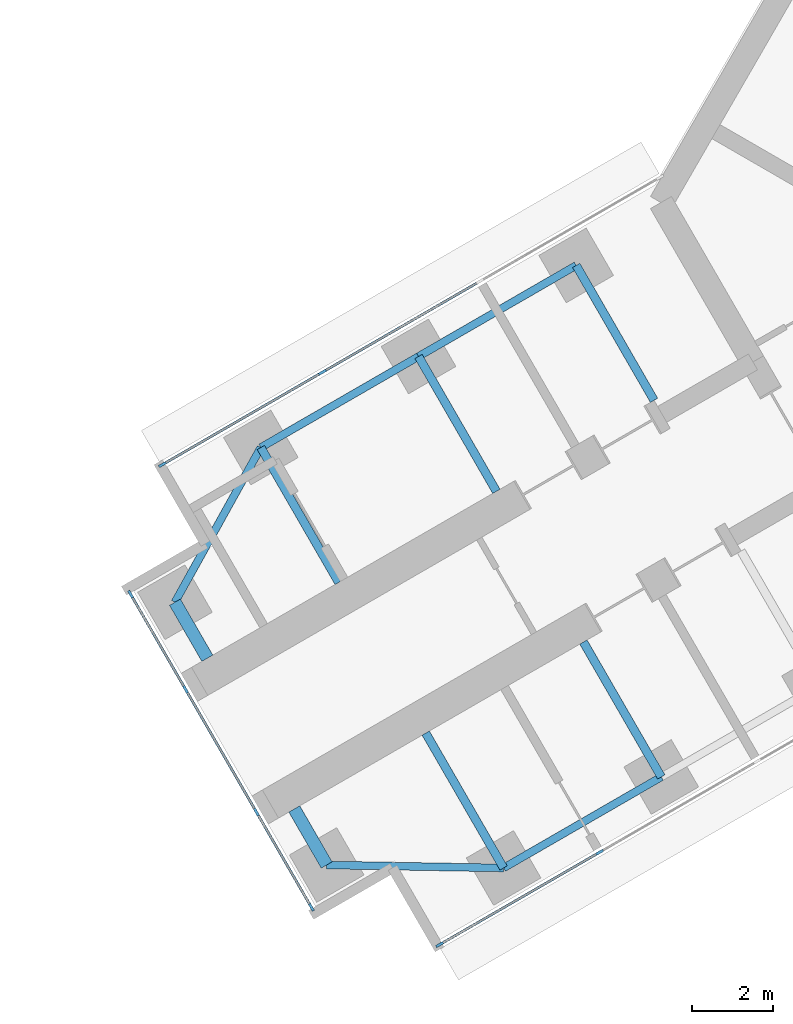
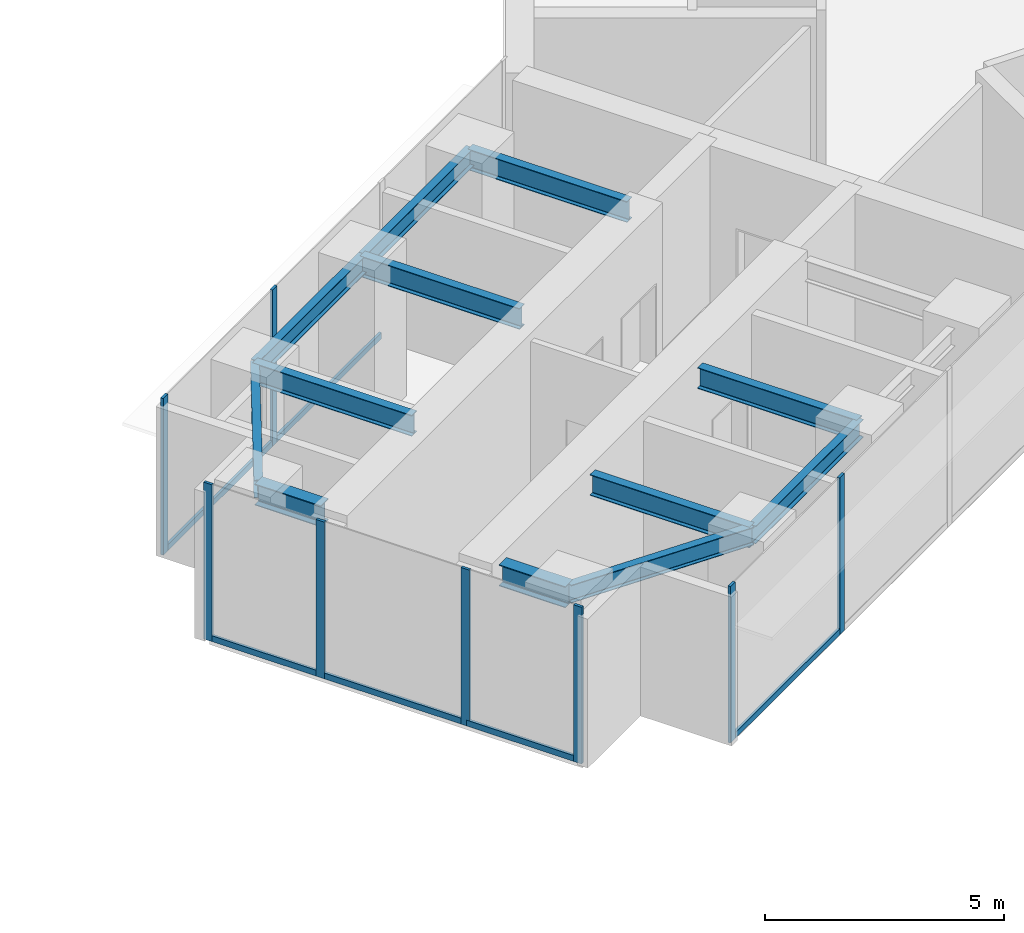
# One storey, part 3 of 21: 14 members, 12 beams, 3 elements without a shape of their own.
"""IFC4 building model written with IfcOpenShell, lengths in metres."""

from ifc_helpers import new_model, si_unit, direction, frame, origin, origin_2d, place, context, subcontext, project, spatial, rectangle, i_section, extrude, material, material_profile, profile_set, type_object, element, aggregate, save


model = new_model("IFC4")

# Units and contexts
model_context = context("Model", 3, precision=1e-05, world=origin(), true_north=direction((0.0, 1.0)))
body_context = subcontext(model_context, "Body", "Model", "MODEL_VIEW")
ifc_project = project(units=[si_unit("LENGTHUNIT", "METRE"), si_unit("AREAUNIT", "SQUARE_METRE"), si_unit("VOLUMEUNIT", "CUBIC_METRE"), si_unit("PLANEANGLEUNIT", "RADIAN"), si_unit("MASSUNIT", "GRAM", prefix="KILO")], contexts=[model_context])

# Site, building, storey
site_placement = place(None, origin())
site = spatial("IfcSite", under=ifc_project, at=site_placement, CompositionType="ELEMENT")
building_placement = place(site_placement, origin())
building = spatial("IfcBuilding", under=site, at=building_placement, Name="Upepo Twin Towers", CompositionType="ELEMENT")
storey_placement = place(building_placement, frame((0.0, 0.0, 113.5)))
storey = spatial("IfcBuildingStorey", under=building, at=storey_placement, Name="L27", CompositionType="ELEMENT", Elevation=113.5)

# Beams
ifc_material_1 = material(Name="Steel S355", Category="steel")
ifc_material_profile_1 = material_profile(ifc_material_1, i_section(OverallWidth=0.1904296875, OverallDepth=0.45703125, WebThickness=0.009033203125, FlangeThickness=0.014404296875, FilletRadius=0.01025390625, at=origin_2d()), Name="UB 457x191x74")
ifc_profile_set_1 = profile_set([ifc_material_profile_1], Name="Steel S355")
beam_type_1 = type_object("IfcBeamType", Name="Beam UB 457x191x74", PredefinedType="BEAM", material=ifc_profile_set_1)
beam_1_placement = place(storey_placement, frame((45.91162109375, -32.196044921875, 3.571533203125), z_axis=(-0.866031096941, -0.499990139034, 0.0), x_axis=(0.499990139034, -0.866031096941, 0.0)))
element("IfcBeam", 1, at=beam_1_placement, inside=storey, type_object=beam_type_1, Name="T2 edge beam BL 18.0-22.5", PredefinedType="BEAM", context=body_context, shape_type="SweptSolid", body=[
    extrude(i_section(OverallWidth=0.1904296875, OverallDepth=0.45703125, WebThickness=0.009033203125, FlangeThickness=0.014404296875, FilletRadius=0.01025390625, at=origin_2d()), origin(), (0.0, 0.0, 1.0), 4.5),
])
beam_2_placement = place(storey_placement, frame((42.014404296875, -34.446044921875, 3.571533203125), z_axis=(-0.999858804832, 0.016803880528, 0.0), x_axis=(-0.016803880528, -0.999858804832, 0.0)))
element("IfcBeam", 2, at=beam_2_placement, inside=storey, type_object=beam_type_1, Name="T2 nose edge beam BL", PredefinedType="BEAM", context=body_context, shape_type="SweptSolid", body=[
    extrude(i_section(OverallWidth=0.1904296875, OverallDepth=0.45703125, WebThickness=0.009033203125, FlangeThickness=0.014404296875, FilletRadius=0.01025390625, at=origin_2d()), origin(), (0.0, 0.0, 1.0), 4.373291015625),
])
beam_3_placement = place(storey_placement, frame((43.80859375, -19.553955078125, 3.571533203125), z_axis=(-0.866017533419, -0.500013631625, 0.0), x_axis=(0.500013631625, -0.866017533419, 0.0)))
element("IfcBeam", 3, at=beam_3_placement, inside=storey, type_object=beam_type_1, Name="T2 edge beam BR 13.5-18.0", PredefinedType="BEAM", context=body_context, shape_type="SweptSolid", body=[
    extrude(i_section(OverallWidth=0.1904296875, OverallDepth=0.45703125, WebThickness=0.009033203125, FlangeThickness=0.014404296875, FilletRadius=0.01025390625, at=origin_2d()), origin(), (0.0, 0.0, 1.0), 4.499755859375),
])
beam_4_placement = place(storey_placement, frame((39.91162109375, -21.803955078125, 3.571533203125), z_axis=(-0.866031096941, -0.499990139034, 0.0), x_axis=(0.499990139034, -0.866031096941, 0.0)))
element("IfcBeam", 4, at=beam_4_placement, inside=storey, type_object=beam_type_1, Name="T2 edge beam BR 18.0-22.5", PredefinedType="BEAM", context=body_context, shape_type="SweptSolid", body=[
    extrude(i_section(OverallWidth=0.1904296875, OverallDepth=0.45703125, WebThickness=0.009033203125, FlangeThickness=0.014404296875, FilletRadius=0.01025390625, at=origin_2d()), origin(), (0.0, 0.0, 1.0), 4.5),
])
beam_5_placement = place(storey_placement, frame((36.014404296875, -24.053955078125, 3.571533203125), z_axis=(-0.485363242752, -0.874312600038, 0.0), x_axis=(0.874312600038, -0.485363242752, 0.0)))
element("IfcBeam", 5, at=beam_5_placement, inside=storey, type_object=beam_type_1, Name="T2 nose edge beam BR", PredefinedType="BEAM", context=body_context, shape_type="SweptSolid", body=[
    extrude(i_section(OverallWidth=0.1904296875, OverallDepth=0.45703125, WebThickness=0.009033203125, FlangeThickness=0.014404296875, FilletRadius=0.01025390625, at=origin_2d()), origin(), (0.0, 0.0, 1.0), 4.373046875),
])
ifc_material_2 = material(Name="Steel S355", Category="steel")
ifc_material_profile_2 = material_profile(ifc_material_2, i_section(OverallWidth=0.209228515625, OverallDepth=0.533203125, WebThickness=0.010009765625, FlangeThickness=0.015625, FilletRadius=0.0126953125, at=origin_2d()), Name="UB 533x210x92")
ifc_profile_set_2 = profile_set([ifc_material_profile_2], Name="Steel S355")
beam_type_2 = type_object("IfcBeamType", Name="Beam UB 533x210x92", PredefinedType="BEAM", material=ifc_profile_set_2)
for number, where, z_axis, x_axis, name in (
    (6, (45.91162109375, -32.196044921875, 3.533447265625), (-0.500033517596, 0.866006051527, 0.0), (-0.866006051527, -0.500033517596, 0.0), "T2 girder BL at 18.0"),
    (7, (42.014404296875, -34.446044921875, 3.533447265625), (-0.500033517596, 0.866006051527, 0.0), (-0.866006051527, -0.500033517596, 0.0), "T2 girder BL at 22.5"),
    (8, (43.80859375, -19.553955078125, 3.533447265625), (0.500033517596, -0.866006051527, 0.0), (0.866006051527, 0.500033517596, 0.0), "T2 girder BR at 13.5"),
):
    element("IfcBeam", number, at=place(storey_placement, frame(where, z_axis=z_axis, x_axis=x_axis)), inside=storey, type_object=beam_type_2, Name=name, PredefinedType="BEAM", context=body_context, shape_type="SweptSolid", body=[
        extrude(i_section(OverallWidth=0.209228515625, OverallDepth=0.533203125, WebThickness=0.010009765625, FlangeThickness=0.015625, FilletRadius=0.0126953125, at=origin_2d()), origin(), (0.0, 0.0, 1.0), 3.849853515625),
    ])
beam_6_placement = place(storey_placement, frame((39.91162109375, -21.803955078125, 3.533447265625), z_axis=(0.499985955615, -0.866033512162, 0.0), x_axis=(0.866033512162, 0.499985955615, 0.0)))
element("IfcBeam", 9, at=beam_6_placement, inside=storey, type_object=beam_type_2, Name="T2 girder BR at 18.0", PredefinedType="BEAM", context=body_context, shape_type="SweptSolid", body=[
    extrude(i_section(OverallWidth=0.209228515625, OverallDepth=0.533203125, WebThickness=0.010009765625, FlangeThickness=0.015625, FilletRadius=0.0126953125, at=origin_2d()), origin(), (0.0, 0.0, 1.0), 3.849609375),
])
beam_7_placement = place(storey_placement, frame((36.014404296875, -24.053955078125, 3.533447265625), z_axis=(0.500033517596, -0.866006051527, 0.0), x_axis=(0.866006051527, 0.500033517596, 0.0)))
element("IfcBeam", 10, at=beam_7_placement, inside=storey, type_object=beam_type_2, Name="T2 girder BR at 22.5", PredefinedType="BEAM", context=body_context, shape_type="SweptSolid", body=[
    extrude(i_section(OverallWidth=0.209228515625, OverallDepth=0.533203125, WebThickness=0.010009765625, FlangeThickness=0.015625, FilletRadius=0.0126953125, at=origin_2d()), origin(), (0.0, 0.0, 1.0), 3.849853515625),
])
ifc_material_3 = material(Name="Steel S355", Category="steel")
ifc_material_profile_3 = material_profile(ifc_material_3, i_section(OverallWidth=0.31201171875, OverallDepth=0.54345703125, WebThickness=0.0126953125, FlangeThickness=0.020263671875, FilletRadius=0.0126953125, at=origin_2d()), Name="UB 533x312x150")
ifc_profile_set_3 = profile_set([ifc_material_profile_3], Name="Steel S355")
beam_type_3 = type_object("IfcBeamType", Name="Beam UB 533x312x150", PredefinedType="BEAM", material=ifc_profile_set_3)
for number, where, z_axis, x_axis, name in (
    (11, (37.641845703125, -34.37255859375, 3.5283203125), (-0.500061482766, 0.865989903783, 0.0), (-0.865989903783, -0.500061482766, 0.0), "T2 nose beam BL"),
    (12, (33.891845703125, -27.87744140625, 3.5283203125), (0.500061482766, -0.865989903783, 0.0), (0.865989903783, 0.500061482766, 0.0), "T2 nose beam BR"),
):
    element("IfcBeam", number, at=place(storey_placement, frame(where, z_axis=z_axis, x_axis=x_axis)), inside=storey, type_object=beam_type_3, Name=name, PredefinedType="BEAM", context=body_context, shape_type="SweptSolid", body=[
        extrude(i_section(OverallWidth=0.31201171875, OverallDepth=0.54345703125, WebThickness=0.0126953125, FlangeThickness=0.020263671875, FilletRadius=0.0126953125, at=origin_2d()), origin(), (0.0, 0.0, 1.0), 1.599853515625),
    ])

# Curtain wall, members
ifc_material_4 = material(Name="Aluminium and fritted glass", Category="aluminium")
curtain_wall_type = type_object("IfcCurtainWallType", Name="Tower curtain wall TW2, fritted glass", PredefinedType="NOTDEFINED", material=ifc_material_4)
curtain_wall_1_placement = place(storey_placement, origin())
curtain_wall_1 = element("IfcCurtainWall", 13, at=curtain_wall_1_placement, inside=storey, type_object=curtain_wall_type, Name="T2 L27 wing B flank L curtain wall", PredefinedType="NOTDEFINED")
ifc_material_5 = material(Name="Aluminium mullion", Category="aluminium")
ifc_material_profile_4 = material_profile(ifc_material_5, rectangle(XDim=0.06494140625, YDim=0.199951171875, at=origin_2d()), Name="MULLION 65x200")
ifc_profile_set_4 = profile_set([ifc_material_profile_4], Name="Aluminium mullion")
member_type_1 = type_object("IfcMemberType", Name="Mullion 65x200 TW2", PredefinedType="MULLION", material=ifc_profile_set_4)
member_1_placement = place(storey_placement, frame((44.387939453125, -34.057373046875, 0.0), z_axis=(0.0, 0.0, 1.0), x_axis=(0.500000010308, -0.866025397833, 0.0)))
member_1 = element("IfcMember", 14, at=member_1_placement, type_object=member_type_1, Name="T2 L27 wing B flank L curtain wall mullion 3", PredefinedType="MULLION", context=body_context, shape_type="SweptSolid", body=[
    extrude(rectangle(XDim=0.06494140625, YDim=0.199951171875, at=origin_2d()), origin(), (0.0, 0.0, 1.0), 4.0),
])
member_2_placement = place(storey_placement, frame((40.432373046875, -36.341064453125, 0.0), z_axis=(0.0, 0.0, 1.0), x_axis=(0.500000010308, -0.866025397833, 0.0)))
member_2 = element("IfcMember", 15, at=member_2_placement, type_object=member_type_1, Name="T2 L27 wing B flank L curtain wall mullion 4", PredefinedType="MULLION", context=body_context, shape_type="SweptSolid", body=[
    extrude(rectangle(XDim=0.06494140625, YDim=0.199951171875, at=origin_2d()), origin(), (0.0, 0.0, 1.0), 4.0),
])

curtain_wall_2_placement = place(storey_placement, origin())
curtain_wall_2 = element("IfcCurtainWall", 16, at=curtain_wall_2_placement, inside=storey, type_object=curtain_wall_type, Name="T2 L27 wing B flank R curtain wall", PredefinedType="NOTDEFINED")
member_3_placement = place(storey_placement, frame((33.58251953125, -24.4765625, 0.0), z_axis=(0.0, 0.0, 1.0), x_axis=(-0.500000010308, 0.866025397833, 0.0)))
member_3 = element("IfcMember", 17, at=member_3_placement, type_object=member_type_1, Name="T2 L27 wing B flank R curtain wall mullion 1", PredefinedType="MULLION", context=body_context, shape_type="SweptSolid", body=[
    extrude(rectangle(XDim=0.06494140625, YDim=0.199951171875, at=origin_2d()), origin(), (0.0, 0.0, 1.0), 4.0),
])
member_4_placement = place(storey_placement, frame((37.5380859375, -22.192626953125, 0.0), z_axis=(0.0, 0.0, 1.0), x_axis=(-0.500000010308, 0.866025397833, 0.0)))
member_4 = element("IfcMember", 18, at=member_4_placement, type_object=member_type_1, Name="T2 L27 wing B flank R curtain wall mullion 2", PredefinedType="MULLION", context=body_context, shape_type="SweptSolid", body=[
    extrude(rectangle(XDim=0.06494140625, YDim=0.199951171875, at=origin_2d()), origin(), (0.0, 0.0, 1.0), 4.0),
])

curtain_wall_3_placement = place(storey_placement, origin())
curtain_wall_3 = element("IfcCurtainWall", 19, at=curtain_wall_3_placement, inside=storey, type_object=curtain_wall_type, Name="T2 L27 wing B nose curtain wall", PredefinedType="NOTDEFINED")
member_5_placement = place(storey_placement, frame((32.796875, -27.68115234375, 0.0), z_axis=(0.0, 0.0, 1.0), x_axis=(0.866025386174, 0.500000030502, 0.0)))
member_5 = element("IfcMember", 20, at=member_5_placement, type_object=member_type_1, Name="T2 L27 wing B nose curtain wall mullion 1", PredefinedType="MULLION", context=body_context, shape_type="SweptSolid", body=[
    extrude(rectangle(XDim=0.06494140625, YDim=0.199951171875, at=origin_2d()), origin(), (0.0, 0.0, 1.0), 4.0),
])
member_6_placement = place(storey_placement, frame((34.15576171875, -30.034423828125, 0.0), z_axis=(0.0, 0.0, 1.0), x_axis=(0.866025386174, 0.500000030502, 0.0)))
member_6 = element("IfcMember", 21, at=member_6_placement, type_object=member_type_1, Name="T2 L27 wing B nose curtain wall mullion 2", PredefinedType="MULLION", context=body_context, shape_type="SweptSolid", body=[
    extrude(rectangle(XDim=0.06494140625, YDim=0.199951171875, at=origin_2d()), origin(), (0.0, 0.0, 1.0), 4.0),
])
member_7_placement = place(storey_placement, frame((35.90576171875, -33.0654296875, 0.0), z_axis=(0.0, 0.0, 1.0), x_axis=(0.866025386174, 0.500000030502, 0.0)))
member_7 = element("IfcMember", 22, at=member_7_placement, type_object=member_type_1, Name="T2 L27 wing B nose curtain wall mullion 3", PredefinedType="MULLION", context=body_context, shape_type="SweptSolid", body=[
    extrude(rectangle(XDim=0.06494140625, YDim=0.199951171875, at=origin_2d()), origin(), (0.0, 0.0, 1.0), 4.0),
])
member_8_placement = place(storey_placement, frame((37.264404296875, -35.4189453125, 0.0), z_axis=(0.0, 0.0, 1.0), x_axis=(0.866025386174, 0.500000030502, 0.0)))
member_8 = element("IfcMember", 23, at=member_8_placement, type_object=member_type_1, Name="T2 L27 wing B nose curtain wall mullion 4", PredefinedType="MULLION", context=body_context, shape_type="SweptSolid", body=[
    extrude(rectangle(XDim=0.06494140625, YDim=0.199951171875, at=origin_2d()), origin(), (0.0, 0.0, 1.0), 4.0),
])

# Member
ifc_material_6 = material(Name="Aluminium transom", Category="aluminium")
ifc_material_profile_5 = material_profile(ifc_material_6, rectangle(XDim=0.06494140625, YDim=0.14990234375, at=origin_2d()), Name="TRANSOM 65x150")
ifc_profile_set_5 = profile_set([ifc_material_profile_5], Name="Aluminium transom")
member_type_2 = type_object("IfcMemberType", Name="Transom 65x150 TW2", PredefinedType="USERDEFINED", material=ifc_profile_set_5)
member_9_placement = place(storey_placement, frame((44.35986328125, -34.073486328125, 0.074951171875), z_axis=(-0.866035699072, -0.499982167615, 0.0), x_axis=(0.499982167615, -0.866035699072, 0.0)))
member_9 = element("IfcMember", 24, at=member_9_placement, type_object=member_type_2, Name="T2 L27 wing B flank L curtain wall transom 3", ObjectType="TRANSOM", PredefinedType="USERDEFINED", context=body_context, shape_type="SweptSolid", body=[
    extrude(rectangle(XDim=0.06494140625, YDim=0.14990234375, at=origin_2d()), origin(), (0.0, 0.0, 1.0), 4.502685546875),
])

aggregate(curtain_wall_1, [member_1, member_2, member_9])

member_10_placement = place(storey_placement, frame((33.610595703125, -24.460205078125, 0.074951171875), z_axis=(0.866022143554, 0.500005646842, 0.0), x_axis=(-0.500005646842, 0.866022143554, 0.0)))
member_10 = element("IfcMember", 25, at=member_10_placement, type_object=member_type_2, Name="T2 L27 wing B flank R curtain wall transom 1", ObjectType="TRANSOM", PredefinedType="USERDEFINED", context=body_context, shape_type="SweptSolid", body=[
    extrude(rectangle(XDim=0.06494140625, YDim=0.14990234375, at=origin_2d()), origin(), (0.0, 0.0, 1.0), 4.50244140625),
])

member_11_placement = place(storey_placement, frame((37.566162109375, -22.176513671875, 0.074951171875), z_axis=(0.866022410713, 0.500005184116, 0.0), x_axis=(-0.500005184116, 0.866022410713, 0.0)))
member_11 = element("IfcMember", 26, at=member_11_placement, type_object=member_type_2, Name="T2 L27 wing B flank R curtain wall transom 2", ObjectType="TRANSOM", PredefinedType="USERDEFINED", context=body_context, shape_type="SweptSolid", body=[
    extrude(rectangle(XDim=0.06494140625, YDim=0.14990234375, at=origin_2d()), origin(), (0.0, 0.0, 1.0), 4.43505859375),
])

aggregate(curtain_wall_2, [member_3, member_4, member_10, member_11])

member_12_placement = place(storey_placement, frame((32.813232421875, -27.709228515625, 0.074951171875), z_axis=(0.499980071345, -0.866036909293, 0.0), x_axis=(0.866036909293, 0.499980071345, 0.0)))
member_12 = element("IfcMember", 27, at=member_12_placement, type_object=member_type_2, Name="T2 L27 wing B nose curtain wall transom 1", ObjectType="TRANSOM", PredefinedType="USERDEFINED", context=body_context, shape_type="SweptSolid", body=[
    extrude(rectangle(XDim=0.06494140625, YDim=0.14990234375, at=origin_2d()), origin(), (0.0, 0.0, 1.0), 2.65234375),
])

member_13_placement = place(storey_placement, frame((34.171875, -30.0625, 0.074951171875), z_axis=(0.499999305434, -0.866025804792, 0.0), x_axis=(0.866025804792, 0.499999305434, 0.0)))
member_13 = element("IfcMember", 28, at=member_13_placement, type_object=member_type_2, Name="T2 L27 wing B nose curtain wall transom 2", ObjectType="TRANSOM", PredefinedType="USERDEFINED", context=body_context, shape_type="SweptSolid", body=[
    extrude(rectangle(XDim=0.06494140625, YDim=0.14990234375, at=origin_2d()), origin(), (0.0, 0.0, 1.0), 3.43505859375),
])

member_14_placement = place(storey_placement, frame((35.921875, -33.09375, 0.074951171875), z_axis=(0.500049101008, -0.865997053448, 0.0), x_axis=(0.865997053448, 0.500049101008, 0.0)))
member_14 = element("IfcMember", 29, at=member_14_placement, type_object=member_type_2, Name="T2 L27 wing B nose curtain wall transom 3", ObjectType="TRANSOM", PredefinedType="USERDEFINED", context=body_context, shape_type="SweptSolid", body=[
    extrude(rectangle(XDim=0.06494140625, YDim=0.14990234375, at=origin_2d()), origin(), (0.0, 0.0, 1.0), 2.652587890625),
])

aggregate(curtain_wall_3, [member_5, member_6, member_7, member_8, member_12, member_13, member_14])

save(model, "model.ifc")
